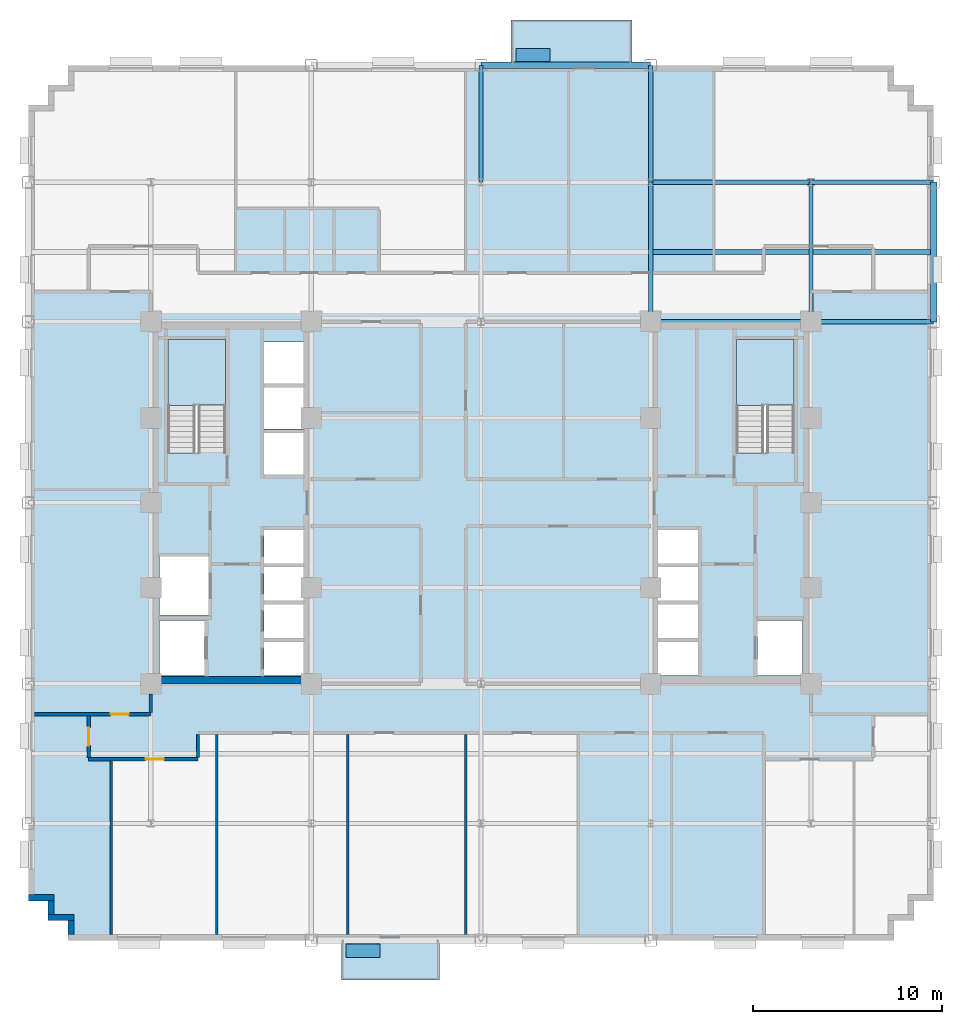
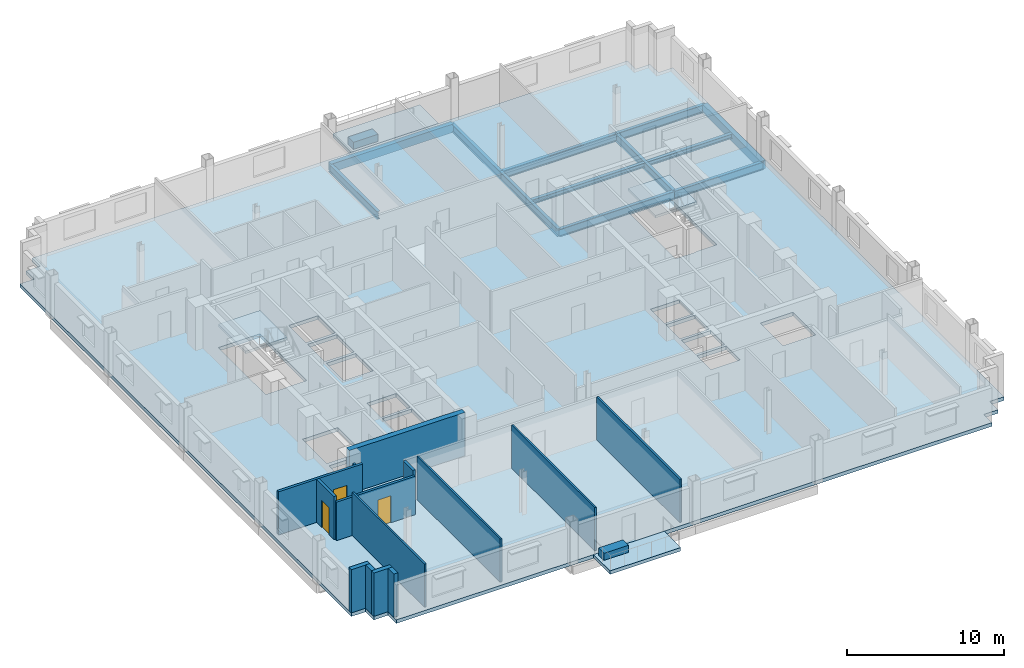
# One storey, part 5 of 14: 14 walls, 12 beams, 5 slabs, 3 doors, 2 plates, 3 openings, 2 elements without a shape of their own.
"""IFC4 building model written with IfcOpenShell, lengths in metres."""

from ifc_helpers import new_model, si_unit, direction, frame, frame_2d, origin, origin_2d, place, context, subcontext, project, spatial, polyline, rectangle, i_section, outline, extrude, source, transform, mapped, material, layer, layer_set, material_profile, profile_set, type_object, type_shapes, element, fill, aggregate, save


model = new_model("IFC4")

# Units and contexts
model_context = context("Model", 3, precision=1e-05, world=origin(), true_north=direction((0.0, 1.0)))
body_context = subcontext(model_context, "Body", "Model", "MODEL_VIEW")
ifc_project = project(units=[si_unit("LENGTHUNIT", "METRE"), si_unit("AREAUNIT", "SQUARE_METRE"), si_unit("VOLUMEUNIT", "CUBIC_METRE"), si_unit("PLANEANGLEUNIT", "RADIAN"), si_unit("MASSUNIT", "GRAM", prefix="KILO")], contexts=[model_context])

# Site, building, storey
site_placement = place(None, origin())
site = spatial("IfcSite", under=ifc_project, at=site_placement, CompositionType="ELEMENT")
building_placement = place(site_placement, origin())
building = spatial("IfcBuilding", under=site, at=building_placement, Name="Nuvemarco Arch Tower", CompositionType="ELEMENT")
storey_placement = place(building_placement, frame((0.0, 0.0, 105.60009765625)))
storey = spatial("IfcBuildingStorey", under=building, at=storey_placement, Name="L27", CompositionType="ELEMENT", Elevation=105.60009765625)

# Beams
ifc_material_1 = material(Name="Steel S355", Category="steel")
ifc_material_profile_1 = material_profile(ifc_material_1, i_section(OverallWidth=0.22998046875, OverallDepth=0.616943359375, WebThickness=0.01318359375, FlangeThickness=0.022216796875, FilletRadius=0.01611328125, at=origin_2d()), Name="W610x140")
ifc_profile_set_1 = profile_set([ifc_material_profile_1], Name="Steel S355")
beam_type_1 = type_object("IfcBeamType", Name="BM-GIRD-610", PredefinedType="BEAM", material=ifc_profile_set_1)
beam_1_placement = place(storey_placement, frame((0.0, 17.0, -0.588623046875), z_axis=(0.0, 1.0, 0.0), x_axis=(-1.0, 0.0, 0.0)))
element("IfcBeam", 1, at=beam_1_placement, inside=storey, type_object=beam_type_1, Name="L27 structural beam BGNS_L27_0_+0.0_+17.0", PredefinedType="BEAM", context=body_context, shape_type="SweptSolid", body=[
    extrude(i_section(OverallWidth=0.22998046875, OverallDepth=0.616943359375, WebThickness=0.01318359375, FlangeThickness=0.022216796875, FilletRadius=0.01611328125, at=origin_2d()), origin(), (0.0, 0.0, 1.0), 6.199951171875),
])
beam_2_placement = place(storey_placement, frame((9.0, 9.60009765625, -0.588623046875), z_axis=(0.0, 1.0, 0.0), x_axis=(-1.0, 0.0, 0.0)))
element("IfcBeam", 2, at=beam_2_placement, inside=storey, type_object=beam_type_1, Name="L27 structural beam BGNS_L27_0_+9.0_+9.6", PredefinedType="BEAM", context=body_context, shape_type="SweptSolid", body=[
    extrude(i_section(OverallWidth=0.22998046875, OverallDepth=0.616943359375, WebThickness=0.01318359375, FlangeThickness=0.022216796875, FilletRadius=0.01611328125, at=origin_2d()), origin(), (0.0, 0.0, 1.0), 7.39990234375),
])
beam_3_placement = place(storey_placement, frame((9.0, 17.0, -0.588623046875), z_axis=(0.0, 1.0, 0.0), x_axis=(-1.0, 0.0, 0.0)))
element("IfcBeam", 3, at=beam_3_placement, inside=storey, type_object=beam_type_1, Name="L27 structural beam BGNS_L27_0_+9.0_+17.0", PredefinedType="BEAM", context=body_context, shape_type="SweptSolid", body=[
    extrude(i_section(OverallWidth=0.22998046875, OverallDepth=0.616943359375, WebThickness=0.01318359375, FlangeThickness=0.022216796875, FilletRadius=0.01611328125, at=origin_2d()), origin(), (0.0, 0.0, 1.0), 6.199951171875),
])
beam_4_placement = place(storey_placement, frame((17.5, 9.60009765625, -0.588623046875), z_axis=(0.0, 1.0, 0.0), x_axis=(-1.0, 0.0, 0.0)))
element("IfcBeam", 4, at=beam_4_placement, inside=storey, type_object=beam_type_1, Name="L27 structural beam BGNS_L27_0_+17.5_+9.6", PredefinedType="BEAM", context=body_context, shape_type="SweptSolid", body=[
    extrude(i_section(OverallWidth=0.22998046875, OverallDepth=0.616943359375, WebThickness=0.01318359375, FlangeThickness=0.022216796875, FilletRadius=0.01611328125, at=origin_2d()), origin(), (0.0, 0.0, 1.0), 7.39990234375),
])
beam_5_placement = place(storey_placement, frame((9.0, 9.60009765625, -0.588623046875), z_axis=(1.0, 0.0, 0.0), x_axis=(0.0, 1.0, 0.0)))
element("IfcBeam", 5, at=beam_5_placement, inside=storey, type_object=beam_type_1, Name="L27 structural beam BGEW_L27_0_+9.6_+9.0", PredefinedType="BEAM", context=body_context, shape_type="SweptSolid", body=[
    extrude(i_section(OverallWidth=0.22998046875, OverallDepth=0.616943359375, WebThickness=0.01318359375, FlangeThickness=0.022216796875, FilletRadius=0.01611328125, at=origin_2d()), origin(), (0.0, 0.0, 1.0), 8.5),
])
beam_6_placement = place(storey_placement, frame((17.5, 9.60009765625, -0.588623046875), z_axis=(1.0, 0.0, 0.0), x_axis=(0.0, 1.0, 0.0)))
element("IfcBeam", 6, at=beam_6_placement, inside=storey, type_object=beam_type_1, Name="L27 structural beam BGEW_L27_0_+9.6_+17.5", PredefinedType="BEAM", context=body_context, shape_type="SweptSolid", body=[
    extrude(i_section(OverallWidth=0.22998046875, OverallDepth=0.616943359375, WebThickness=0.01318359375, FlangeThickness=0.022216796875, FilletRadius=0.01611328125, at=origin_2d()), origin(), (0.0, 0.0, 1.0), 6.5),
])
beam_7_placement = place(storey_placement, frame((9.0, 17.0, -0.588623046875), z_axis=(1.0, 0.0, 0.0), x_axis=(0.0, 1.0, 0.0)))
element("IfcBeam", 7, at=beam_7_placement, inside=storey, type_object=beam_type_1, Name="L27 structural beam BGEW_L27_0_+17.0_+9.0", PredefinedType="BEAM", context=body_context, shape_type="SweptSolid", body=[
    extrude(i_section(OverallWidth=0.22998046875, OverallDepth=0.616943359375, WebThickness=0.01318359375, FlangeThickness=0.022216796875, FilletRadius=0.01611328125, at=origin_2d()), origin(), (0.0, 0.0, 1.0), 8.5),
])
beam_8_placement = place(storey_placement, frame((17.5, 17.0, -0.588623046875), z_axis=(1.0, 0.0, 0.0), x_axis=(0.0, 1.0, 0.0)))
element("IfcBeam", 8, at=beam_8_placement, inside=storey, type_object=beam_type_1, Name="L27 structural beam BGEW_L27_0_+17.0_+17.5", PredefinedType="BEAM", context=body_context, shape_type="SweptSolid", body=[
    extrude(i_section(OverallWidth=0.22998046875, OverallDepth=0.616943359375, WebThickness=0.01318359375, FlangeThickness=0.022216796875, FilletRadius=0.01611328125, at=origin_2d()), origin(), (0.0, 0.0, 1.0), 6.5),
])
ifc_material_profile_2 = material_profile(ifc_material_1, i_section(OverallWidth=0.2548828125, OverallDepth=0.35693359375, WebThickness=0.010498046875, FlangeThickness=0.018310546875, FilletRadius=0.014892578125, at=origin_2d()), Name="W360x101")
ifc_profile_set_2 = profile_set([ifc_material_profile_2], Name="Steel S355")
beam_type_2 = type_object("IfcBeamType", Name="BM-JOIST-360H", PredefinedType="JOIST", material=ifc_profile_set_2)
beam_9_placement = place(storey_placement, frame((9.114990234375, 13.300048828125, -0.45849609375), z_axis=(1.0, 0.0, 0.0), x_axis=(0.0, 1.0, 0.0)))
element("IfcBeam", 9, at=beam_9_placement, inside=storey, type_object=beam_type_2, Name="L27 structural beam BJ_L27_0_+13.3_+9.0", PredefinedType="JOIST", context=body_context, shape_type="SweptSolid", body=[
    extrude(i_section(OverallWidth=0.2548828125, OverallDepth=0.35693359375, WebThickness=0.010498046875, FlangeThickness=0.018310546875, FilletRadius=0.014892578125, at=origin_2d()), origin(), (0.0, 0.0, 1.0), 8.27001953125),
])
beam_10_placement = place(storey_placement, frame((17.614990234375, 13.300048828125, -0.45849609375), z_axis=(1.0, 0.0, 0.0), x_axis=(0.0, 1.0, 0.0)))
element("IfcBeam", 10, at=beam_10_placement, inside=storey, type_object=beam_type_2, Name="L27 structural beam BJ_L27_0_+13.3_+17.5", PredefinedType="JOIST", context=body_context, shape_type="SweptSolid", body=[
    extrude(i_section(OverallWidth=0.2548828125, OverallDepth=0.35693359375, WebThickness=0.010498046875, FlangeThickness=0.018310546875, FilletRadius=0.014892578125, at=origin_2d()), origin(), (0.0, 0.0, 1.0), 6.2099609375),
])
ifc_material_2 = material(Name="Precast concrete C45/55", Category="concrete")
ifc_material_profile_3 = material_profile(ifc_material_2, rectangle(XDim=0.35009765625, YDim=0.64990234375, at=origin_2d()), Name="PC-SP-350x650")
ifc_profile_set_3 = profile_set([ifc_material_profile_3], Name="Precast concrete C45/55")
beam_type_3 = type_object("IfcBeamType", Name="BM-SPAN-RC", PredefinedType="SPANDREL", material=ifc_profile_set_3)
beam_11_placement = place(storey_placement, frame((24.0, 9.60009765625, -0.60498046875), z_axis=(0.0, 1.0, 0.0), x_axis=(-1.0, 0.0, 0.0)))
element("IfcBeam", 11, at=beam_11_placement, inside=storey, type_object=beam_type_3, Name="L27 structural beam BGNS_L27_0_+24.0_+9.6", PredefinedType="SPANDREL", context=body_context, shape_type="SweptSolid", body=[
    extrude(rectangle(XDim=0.35009765625, YDim=0.64990234375, at=origin_2d()), origin(), (0.0, 0.0, 1.0), 7.39990234375),
])
beam_12_placement = place(storey_placement, frame((0.0, 23.199951171875, -0.60498046875), z_axis=(1.0, 0.0, 0.0), x_axis=(0.0, 1.0, 0.0)))
element("IfcBeam", 12, at=beam_12_placement, inside=storey, type_object=beam_type_3, Name="L27 structural beam BGEW_L27_0_+23.2_+0.0", PredefinedType="SPANDREL", context=body_context, shape_type="SweptSolid", body=[
    extrude(rectangle(XDim=0.35009765625, YDim=0.64990234375, at=origin_2d()), origin(), (0.0, 0.0, 1.0), 9.0),
])

# Slab
ifc_material_3 = material(Name="Concrete C50/60", Category="concrete")
ifc_layer_1 = layer(ifc_material_3, 0.280029296875, Name="SL-FLR-280")
ifc_layer_set_1 = layer_set([ifc_layer_1], Name="Concrete C50/60")
slab_type_1 = type_object("IfcSlabType", Name="SL-FLR-280", PredefinedType="FLOOR", material=ifc_layer_set_1)
slab_1_placement = place(storey_placement, frame((0.0, 0.0, -0.280029296875)))
element("IfcSlab", 13, at=slab_1_placement, inside=storey, type_object=slab_type_1, Name="L27 structural floor slab", PredefinedType="FLOOR", context=body_context, shape_type="SweptSolid", body=[
    extrude(outline(polyline([(-21.89990234375, -23.199951171875), (21.89990234375, -23.199951171875), (21.89990234375, -22.14990234375), (22.949951171875, -22.14990234375), (22.949951171875, -21.10009765625), (24.0, -21.10009765625), (24.0, 21.10009765625), (22.949951171875, 21.10009765625), (22.949951171875, 22.14990234375), (21.89990234375, 22.14990234375), (21.89990234375, 23.199951171875), (-21.89990234375, 23.199951171875), (-21.89990234375, 22.14990234375), (-22.949951171875, 22.14990234375), (-22.949951171875, 21.10009765625), (-24.0, 21.10009765625), (-24.0, -21.10009765625), (-22.949951171875, -21.10009765625), (-22.949951171875, -22.14990234375), (-21.89990234375, -22.14990234375), (-21.89990234375, -23.199951171875)]), holes=[polyline([(-13.5400390625, 2.669921875), (-13.5400390625, 8.64990234375), (-16.60009765625, 8.64990234375), (-16.60009765625, 2.630615234375), (-15.070068359375, 2.630615234375), (-15.070068359375, 2.669921875), (-13.5400390625, 2.669921875)]), polyline([(16.60009765625, 2.669921875), (16.60009765625, 8.64990234375), (13.5400390625, 8.64990234375), (13.5400390625, 2.630615234375), (15.070068359375, 2.630615234375), (15.070068359375, 2.669921875), (16.60009765625, 2.669921875)]), polyline([(-17.050048828125, -9.14990234375), (-14.64990234375, -9.14990234375), (-14.64990234375, -6.25), (-17.050048828125, -6.25), (-17.050048828125, -9.14990234375)]), polyline([(-17.050048828125, -5.949951171875), (-14.449951171875, -5.949951171875), (-14.449951171875, -2.85009765625), (-17.050048828125, -2.85009765625), (-17.050048828125, -5.949951171875)]), polyline([(-11.5, -9.14990234375), (-9.35009765625, -9.14990234375), (-9.35009765625, -7.3701171875), (-11.5, -7.3701171875), (-11.5, -9.14990234375)]), polyline([(-11.5, -7.169921875), (-9.35009765625, -7.169921875), (-9.35009765625, -5.389892578125), (-11.5, -5.389892578125), (-11.5, -7.169921875)]), polyline([(-11.5, -5.18994140625), (-9.35009765625, -5.18994140625), (-9.35009765625, -3.409912109375), (-11.5, -3.409912109375), (-11.5, -5.18994140625)]), polyline([(-11.5, -3.2099609375), (-9.35009765625, -3.2099609375), (-9.35009765625, -1.429931640625), (-11.5, -1.429931640625), (-11.5, -3.2099609375)]), polyline([(-11.5, 1.5), (-9.35009765625, 1.5), (-9.35009765625, 3.699951171875), (-11.5, 3.699951171875), (-11.5, 1.5)]), polyline([(-11.5, 3.919921875), (-9.35009765625, 3.919921875), (-9.35009765625, 6.1201171875), (-11.5, 6.1201171875), (-11.5, 3.919921875)]), polyline([(-11.5, 6.340087890625), (-9.35009765625, 6.340087890625), (-9.35009765625, 8.5400390625), (-11.5, 8.5400390625), (-11.5, 6.340087890625)]), polyline([(14.64990234375, -9.14990234375), (17.050048828125, -9.14990234375), (17.050048828125, -6.25), (14.64990234375, -6.25), (14.64990234375, -9.14990234375)]), polyline([(9.35009765625, -9.14990234375), (11.5, -9.14990234375), (11.5, -7.3701171875), (9.35009765625, -7.3701171875), (9.35009765625, -9.14990234375)]), polyline([(9.35009765625, -7.169921875), (11.5, -7.169921875), (11.5, -5.389892578125), (9.35009765625, -5.389892578125), (9.35009765625, -7.169921875)]), polyline([(9.35009765625, -5.18994140625), (11.5, -5.18994140625), (11.5, -3.409912109375), (9.35009765625, -3.409912109375), (9.35009765625, -5.18994140625)]), polyline([(9.35009765625, -3.2099609375), (11.5, -3.2099609375), (11.5, -1.429931640625), (9.35009765625, -1.429931640625), (9.35009765625, -3.2099609375)])]), origin(), (0.0, 0.0, 1.0), 0.280029296875),
])

# Stair, slab
stair_type = type_object("IfcStairType", Name="ST-CORE-20R", PredefinedType="HALF_TURN_STAIR", material=ifc_material_2)
stair_1_placement = place(storey_placement, origin())
stair_1 = element("IfcStair", 14, at=stair_1_placement, inside=storey, type_object=stair_type, Name="L27 Protected Exit Stair ST-1", PredefinedType="HALF_TURN_STAIR")
ifc_layer_2 = layer(ifc_material_2, 0.199951171875, Name="SL-LANDING-200")
ifc_layer_set_2 = layer_set([ifc_layer_2], Name="Precast concrete C45/55")
slab_type_2 = type_object("IfcSlabType", Name="SL-LANDING-200", PredefinedType="LANDING", material=ifc_layer_set_2)
slab_2_placement = place(storey_placement, frame((0.0, 0.0, 1.625)))
slab_2 = element("IfcSlab", 15, at=slab_2_placement, type_object=slab_type_2, Name="ST-20R landing 1", PredefinedType="LANDING", context=body_context, shape_type="SweptSolid", body=[
    extrude(outline(polyline([(-13.5400390625, 5.189453125), (-13.5400390625, 8.64990234375), (-16.60009765625, 8.64990234375), (-16.60009765625, 5.169921875), (-15.070068359375, 5.169921875), (-15.070068359375, 5.189453125), (-13.5400390625, 5.189453125)])), origin(), (0.0, 0.0, 1.0), 0.199951171875),
])
aggregate(stair_1, [slab_2])

stair_2_placement = place(storey_placement, origin())
stair_2 = element("IfcStair", 16, at=stair_2_placement, inside=storey, type_object=stair_type, Name="L27 Protected Exit Stair ST-2", PredefinedType="HALF_TURN_STAIR")
slab_3_placement = place(storey_placement, frame((0.0, 0.0, 1.625)))
slab_3 = element("IfcSlab", 17, at=slab_3_placement, type_object=slab_type_2, Name="ST-20R landing 1", PredefinedType="LANDING", context=body_context, shape_type="SweptSolid", body=[
    extrude(outline(polyline([(16.60009765625, 5.189453125), (16.60009765625, 8.64990234375), (13.5400390625, 8.64990234375), (13.5400390625, 5.169921875), (15.070068359375, 5.169921875), (15.070068359375, 5.189453125), (16.60009765625, 5.189453125)])), origin(), (0.0, 0.0, 1.0), 0.199951171875),
])
aggregate(stair_2, [slab_3])

# Slabs
ifc_layer_3 = layer(ifc_material_3, 0.264892578125, Name="SL-TB1")
ifc_layer_set_3 = layer_set([ifc_layer_3], Name="Concrete C50/60")
slab_type_3 = type_object("IfcSlabType", Name="SL-TB1", PredefinedType="FLOOR", material=ifc_layer_set_3)
slab_4_placement = place(storey_placement, frame((0.0, 0.0, -0.26513671875)))
element("IfcSlab", 18, at=slab_4_placement, inside=storey, type_object=slab_type_3, Name="L27 outdoor tree balcony slab 2", PredefinedType="FLOOR", context=body_context, shape_type="SweptSolid", body=[
    extrude(outline(polyline([(-7.39990234375, -25.300048828125), (-2.199951171875, -25.300048828125), (-2.199951171875, -23.199951171875), (-7.39990234375, -23.199951171875), (-7.39990234375, -25.300048828125)])), origin(), (0.0, 0.0, 1.0), 0.26513671875),
])
ifc_layer_4 = layer(ifc_material_3, 0.294921875, Name="SL-TR4")
ifc_layer_set_4 = layer_set([ifc_layer_4], Name="Concrete C50/60")
slab_type_4 = type_object("IfcSlabType", Name="SL-TR4", PredefinedType="FLOOR", material=ifc_layer_set_4)
slab_5_placement = place(storey_placement, frame((0.0, 0.0, -0.295166015625)))
element("IfcSlab", 19, at=slab_5_placement, inside=storey, type_object=slab_type_4, Name="L27 outdoor spiral terrace slab 1", PredefinedType="FLOOR", context=body_context, shape_type="SweptSolid", body=[
    extrude(outline(polyline([(1.60009765625, 23.199951171875), (8.0, 23.199951171875), (8.0, 25.60009765625), (1.60009765625, 25.60009765625), (1.60009765625, 23.199951171875)])), origin(), (0.0, 0.0, 1.0), 0.295166015625),
])

# Plates
ifc_layer_5 = layer(ifc_material_2, 0.550048828125, Name="Tree Balcony Structural Planter")
ifc_layer_set_5 = layer_set([ifc_layer_5], Name="Precast concrete C45/55")
plate_type = type_object("IfcPlateType", Name="Tree Balcony Structural Planter", PredefinedType="USERDEFINED", material=ifc_layer_set_5)
shared_shape_1 = source(origin(), body_context, "Body", "SweptSolid", [
    extrude(rectangle(XDim=1.800048828125, YDim=0.699951171875, at=origin_2d()), origin(), (0.0, 0.0, 1.0), 0.550048828125),
])
type_shapes(plate_type, [shared_shape_1])
for number, where, z_axis, x_axis, name in (
    (20, (2.75, 23.75, 0.0), (0.0, 0.0, 1.0), (1.0, 0.0, 0.0), "L27 Tree Balcony Structural Planter"),
    (21, (-6.25, -23.75, 0.0), (0.0, 0.0, 1.0), (1.0, 0.0, 0.0), "L27 Tree Balcony Structural Planter"),
):
    element("IfcPlate", number, at=place(storey_placement, frame(where, z_axis=z_axis, x_axis=x_axis)), inside=storey, type_object=plate_type, Name=name, ObjectType="PLANTER", PredefinedType="USERDEFINED", context=body_context, shape_type="MappedRepresentation", body=[
        mapped(shared_shape_1, transform((0.0, 0.0, 0.0), scale=1.0)),
    ])

# Walls
ifc_layer_6 = layer(ifc_material_2, 0.320068359375, Name="EW-MID-320")
ifc_layer_set_6 = layer_set([ifc_layer_6], Name="Precast concrete C45/55")
wall_type_1 = type_object("IfcWallType", Name="EW-MID-320", PredefinedType="STANDARD", material=ifc_layer_set_6)
wall_1_placement = place(storey_placement, frame((-24.0, -20.93994140625, 0.0), z_axis=(0.0, 0.0, 1.0), x_axis=(1.0, 0.0, 0.0)))
element("IfcWall", 22, at=wall_1_placement, inside=storey, type_object=wall_type_1, Name="L27 exterior precast facade wall 17", PredefinedType="STANDARD", context=body_context, shape_type="SweptSolid", body=[
    extrude(rectangle(XDim=1.3701171875, YDim=0.320068359375, at=frame_2d((0.68505859375, 0.0))), origin(), (0.0, 0.0, 1.0), 3.35986328125),
])
wall_2_placement = place(storey_placement, frame((-22.7900390625, -21.833984375, 0.0), z_axis=(0.0, 0.0, 1.0), x_axis=(0.0, 1.0, 0.0)))
element("IfcWall", 23, at=wall_2_placement, inside=storey, type_object=wall_type_1, Name="L27 exterior precast facade wall 18", PredefinedType="STANDARD", context=body_context, shape_type="SweptSolid", body=[
    extrude(rectangle(XDim=0.738037109375, YDim=0.320068359375, at=frame_2d((0.369140625, 0.0))), origin(), (0.0, 0.0, 1.0), 3.35986328125),
])
wall_3_placement = place(storey_placement, frame((-22.949951171875, -21.989990234375, 0.0), z_axis=(0.0, 0.0, 1.0), x_axis=(1.0, 0.0, 0.0)))
element("IfcWall", 24, at=wall_3_placement, inside=storey, type_object=wall_type_1, Name="L27 exterior precast facade wall 19", PredefinedType="STANDARD", context=body_context, shape_type="SweptSolid", body=[
    extrude(rectangle(XDim=1.369873046875, YDim=0.320068359375, at=frame_2d((0.68505859375, 0.0))), origin(), (0.0, 0.0, 1.0), 3.35986328125),
])
wall_4_placement = place(storey_placement, frame((-21.739990234375, -22.884033203125, 0.0), z_axis=(0.0, 0.0, 1.0), x_axis=(0.0, 1.0, 0.0)))
element("IfcWall", 25, at=wall_4_placement, inside=storey, type_object=wall_type_1, Name="L27 exterior precast facade wall 20", PredefinedType="STANDARD", context=body_context, shape_type="SweptSolid", body=[
    extrude(rectangle(XDim=0.738037109375, YDim=0.320068359375, at=frame_2d((0.369140625, 0.0))), origin(), (0.0, 0.0, 1.0), 3.35986328125),
])
ifc_material_4 = material(Name="Concrete C60/75", Category="concrete")
ifc_layer_7 = layer(ifc_material_4, 0.39990234375, Name="WL-CORE-400")
ifc_layer_set_7 = layer_set([ifc_layer_7], Name="Concrete C60/75")
wall_type_2 = type_object("IfcWallType", Name="WL-CORE-400", PredefinedType="SHEAR", material=ifc_layer_set_7)
wall_5_placement = place(storey_placement, frame((-17.5, -9.39990234375, 0.0), z_axis=(0.0, 0.0, 1.0), x_axis=(1.0, 0.0, 0.0)))
element("IfcWall", 26, at=wall_5_placement, inside=storey, type_object=wall_type_2, Name="L27 W-core shear wall S", PredefinedType="SHEAR", context=body_context, shape_type="SweptSolid", body=[
    extrude(rectangle(XDim=8.5, YDim=0.39990234375, at=frame_2d((4.25, 0.0))), origin(), (0.0, 0.0, 1.0), 3.369873046875),
])

# Wall, opening, door
ifc_material_5 = material(Name="Fire-rated gypsum drywall partition")
ifc_layer_8 = layer(ifc_material_5, 0.179931640625, Name="WL-CORR-180")
ifc_layer_set_8 = layer_set([ifc_layer_8], Name="Fire-rated gypsum drywall partition")
wall_type_3 = type_object("IfcWallType", Name="WL-CORR-180", PredefinedType="PARTITIONING", material=ifc_layer_set_8)
wall_6_placement = place(storey_placement, frame((-20.800048828125, -13.60009765625, 0.0), z_axis=(0.0, 0.0, 1.0), x_axis=(1.0, 0.0, 0.0)))
wall_6 = element("IfcWall", 27, at=wall_6_placement, inside=storey, type_object=wall_type_3, Name="L27 interior wall IW-L27-001", PredefinedType="PARTITIONING", context=body_context, shape_type="SweptSolid", body=[
    extrude(rectangle(XDim=5.800048828125, YDim=0.179931640625, at=frame_2d((2.89990234375, 0.0))), origin(), (0.0, 0.0, 1.0), 2.997802734375),
])
opening_1_placement = place(wall_6_placement, frame((3.02490234375, 0.0, 0.0)))
opening_1 = element("IfcOpeningElement", 28, at=opening_1_placement, cuts=wall_6, Name="Opening FD-5", PredefinedType="OPENING", context=body_context, shape_type="SweptSolid", body=[
    extrude(rectangle(XDim=0.9599609375, YDim=2.10009765625, at=frame_2d((0.47998046875, 1.050048828125))), frame((0.0, 0.099853515625, 0.0), z_axis=(0.0, -1.0, 0.0), x_axis=(1.0, 0.0, 0.0)), (0.0, 0.0, 1.0), 0.199951171875),
])
ifc_material_6 = material(Name="Timber fire door", Category="wood")
door_type = type_object("IfcDoorType", Name="DR-CORR-FD", OperationType="NOTDEFINED", PredefinedType="DOOR", material=ifc_material_6)
shared_shape_2 = source(origin(), body_context, "Body", "SweptSolid", [
    extrude(rectangle(XDim=0.9599609375, YDim=2.10009765625, at=frame_2d((0.47998046875, 1.050048828125))), frame((0.0, 0.02490234375, 0.0), z_axis=(0.0, -1.0, 0.0), x_axis=(1.0, 0.0, 0.0)), (0.0, 0.0, 1.0), 0.050048828125),
])
type_shapes(door_type, [shared_shape_2])
door_1_placement = place(opening_1_placement, origin())
door_1 = element("IfcDoor", 29, at=door_1_placement, inside=storey, type_object=door_type, Name="L27 door DR-L27-S_2", OperationType="SINGLE_SWING_LEFT", OverallHeight=2.10009765625, OverallWidth=0.9599609375, PredefinedType="DOOR", context=body_context, shape_type="MappedRepresentation", body=[
    mapped(shared_shape_2, transform((0.0, 0.0, 0.0), scale=1.0)),
])
fill(opening_1, door_1)

wall_7_placement = place(storey_placement, frame((-23.679931640625, -11.199951171875, 0.0), z_axis=(0.0, 0.0, 1.0), x_axis=(1.0, 0.0, 0.0)))
wall_7 = element("IfcWall", 30, at=wall_7_placement, inside=storey, type_object=wall_type_3, Name="L27 interior wall IW-L27-004", PredefinedType="PARTITIONING", context=body_context, shape_type="SweptSolid", body=[
    extrude(rectangle(XDim=6.179931640625, YDim=0.179931640625, at=frame_2d((3.08984375, 0.0))), origin(), (0.0, 0.0, 1.0), 3.35986328125),
])
opening_2_placement = place(wall_7_placement, frame((4.050048828125, 0.0, 0.0)))
opening_2 = element("IfcOpeningElement", 31, at=opening_2_placement, cuts=wall_7, Name="Opening FD-5", PredefinedType="OPENING", context=body_context, shape_type="SweptSolid", body=[
    extrude(rectangle(XDim=0.9599609375, YDim=2.10009765625, at=frame_2d((0.47998046875, 1.050048828125))), frame((0.0, 0.099853515625, 0.0), z_axis=(0.0, -1.0, 0.0), x_axis=(1.0, 0.0, 0.0)), (0.0, 0.0, 1.0), 0.199951171875),
])
door_2_placement = place(opening_2_placement, origin())
door_2 = element("IfcDoor", 32, at=door_2_placement, inside=storey, type_object=door_type, Name="L27 door DR-L27-W_1", OperationType="SINGLE_SWING_LEFT", OverallHeight=2.10009765625, OverallWidth=0.9599609375, PredefinedType="DOOR", context=body_context, shape_type="MappedRepresentation", body=[
    mapped(shared_shape_2, transform((0.0, 0.0, 0.0), scale=1.0)),
])
fill(opening_2, door_2)

wall_8_placement = place(storey_placement, frame((-20.800048828125, -13.513916015625, 0.0), z_axis=(0.0, 0.0, 1.0), x_axis=(0.0, 1.0, 0.0)))
wall_8 = element("IfcWall", 33, at=wall_8_placement, inside=storey, type_object=wall_type_3, Name="L27 interior wall IW-L27-024", PredefinedType="PARTITIONING", context=body_context, shape_type="SweptSolid", body=[
    extrude(rectangle(XDim=2.22802734375, YDim=0.179931640625, at=frame_2d((1.114013671875, 0.0))), origin(), (0.0, 0.0, 1.0), 3.35986328125),
])
opening_3_placement = place(wall_8_placement, frame((0.634033203125, 0.0, 0.0)))
opening_3 = element("IfcOpeningElement", 34, at=opening_3_placement, cuts=wall_8, Name="Opening FD-5", PredefinedType="OPENING", context=body_context, shape_type="SweptSolid", body=[
    extrude(rectangle(XDim=0.9599609375, YDim=2.10009765625, at=frame_2d((0.47998046875, 1.050048828125))), frame((0.0, 0.099853515625, 0.0), z_axis=(0.0, -1.0, 0.0), x_axis=(1.0, 0.0, 0.0)), (0.0, 0.0, 1.0), 0.199951171875),
])
door_3_placement = place(opening_3_placement, origin())
door_3 = element("IfcDoor", 35, at=door_3_placement, inside=storey, type_object=door_type, Name="L27 door DR-L27-S_1", OperationType="SINGLE_SWING_RIGHT", OverallHeight=2.10009765625, OverallWidth=0.9599609375, PredefinedType="DOOR", context=body_context, shape_type="MappedRepresentation", body=[
    mapped(shared_shape_2, transform((0.0, 0.0, 0.0), scale=1.0)),
])
fill(opening_3, door_3)

# Walls
wall_9_placement = place(storey_placement, frame((-17.5, -11.114013671875, 0.0), z_axis=(0.0, 0.0, 1.0), x_axis=(0.0, 1.0, 0.0)))
element("IfcWall", 36, at=wall_9_placement, inside=storey, type_object=wall_type_3, Name="L27 interior wall IW-L27-027", PredefinedType="PARTITIONING", context=body_context, shape_type="SweptSolid", body=[
    extrude(rectangle(XDim=0.968017578125, YDim=0.179931640625, at=frame_2d((0.48388671875, 0.0))), origin(), (0.0, 0.0, 1.0), 2.73779296875),
])
wall_10_placement = place(storey_placement, frame((-15.0, -13.513916015625, 0.0), z_axis=(0.0, 0.0, 1.0), x_axis=(0.0, 1.0, 0.0)))
element("IfcWall", 37, at=wall_10_placement, inside=storey, type_object=wall_type_3, Name="L27 interior wall IW-L27-029", PredefinedType="PARTITIONING", context=body_context, shape_type="SweptSolid", body=[
    extrude(rectangle(XDim=1.22802734375, YDim=0.179931640625, at=frame_2d((0.614013671875, 0.0))), origin(), (0.0, 0.0, 1.0), 3.35986328125),
])
ifc_material_7 = material(Name="Glazed acoustic office partition")
ifc_layer_9 = layer(ifc_material_7, 0.1298828125, Name="WL-EXEC-130")
ifc_layer_set_9 = layer_set([ifc_layer_9], Name="Glazed acoustic office partition")
wall_type_4 = type_object("IfcWallType", Name="WL-EXEC-130", PredefinedType="PARTITIONING", material=ifc_layer_set_9)
wall_11_placement = place(storey_placement, frame((-19.590087890625, -22.8798828125, 0.0), z_axis=(0.0, 0.0, 1.0), x_axis=(0.0, 1.0, 0.0)))
element("IfcWall", 38, at=wall_11_placement, inside=storey, type_object=wall_type_4, Name="L27 interior wall IW-L27-026", PredefinedType="PARTITIONING", context=body_context, shape_type="SweptSolid", body=[
    extrude(rectangle(XDim=9.19384765625, YDim=0.1298828125, at=frame_2d((4.596923828125, 0.0))), origin(), (0.0, 0.0, 1.0), 3.35986328125),
])
for number, where, z_axis, x_axis, name in (
    (39, (-14.02001953125, -22.8798828125, 0.0), (0.0, 0.0, 1.0), (0.0, 1.0, 0.0), "L27 interior wall IW-L27-031"),
    (40, (-7.06005859375, -22.8798828125, 0.0), (0.0, 0.0, 1.0), (0.0, 1.0, 0.0), "L27 interior wall IW-L27-035"),
):
    element("IfcWall", number, at=place(storey_placement, frame(where, z_axis=z_axis, x_axis=x_axis)), inside=storey, type_object=wall_type_4, Name=name, PredefinedType="PARTITIONING", context=body_context, shape_type="SweptSolid", body=[
        extrude(rectangle(XDim=10.593994140625, YDim=0.1298828125, at=frame_2d((5.296875, 0.0))), origin(), (0.0, 0.0, 1.0), 3.35986328125),
    ])
ifc_material_8 = material(Name="Gypsum plasterboard partition")
ifc_layer_10 = layer(ifc_material_8, 0.139892578125, Name="WL-ROOM-140")
ifc_layer_set_10 = layer_set([ifc_layer_10], Name="Gypsum plasterboard partition")
wall_type_5 = type_object("IfcWallType", Name="WL-ROOM-140", PredefinedType="PARTITIONING", material=ifc_layer_set_10)
wall_12_placement = place(storey_placement, frame((-0.800048828125, -22.8798828125, 0.0), z_axis=(0.0, 0.0, 1.0), x_axis=(0.0, 1.0, 0.0)))
element("IfcWall", 41, at=wall_12_placement, inside=storey, type_object=wall_type_5, Name="L27 interior wall IW-L27-039", PredefinedType="PARTITIONING", context=body_context, shape_type="SweptSolid", body=[
    extrude(rectangle(XDim=10.593994140625, YDim=0.139892578125, at=frame_2d((5.296875, 0.0))), origin(), (0.0, 0.0, 1.0), 3.35986328125),
])

save(model, "model.ifc")
